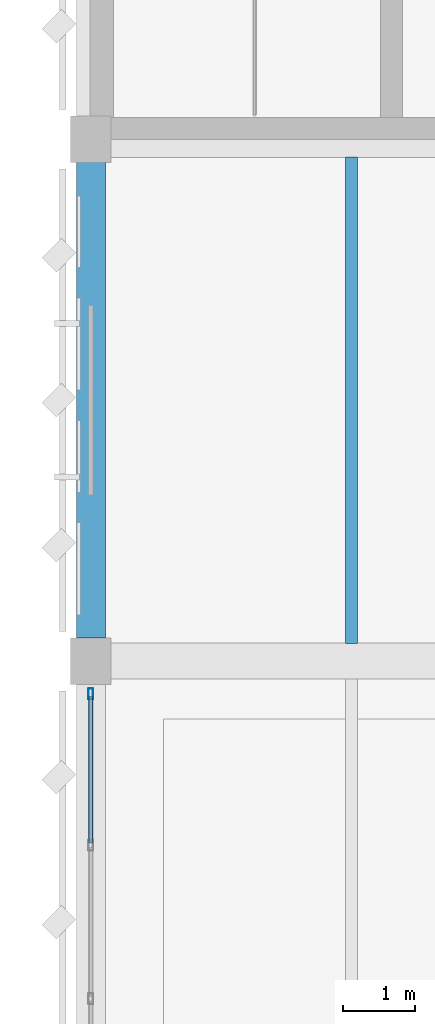
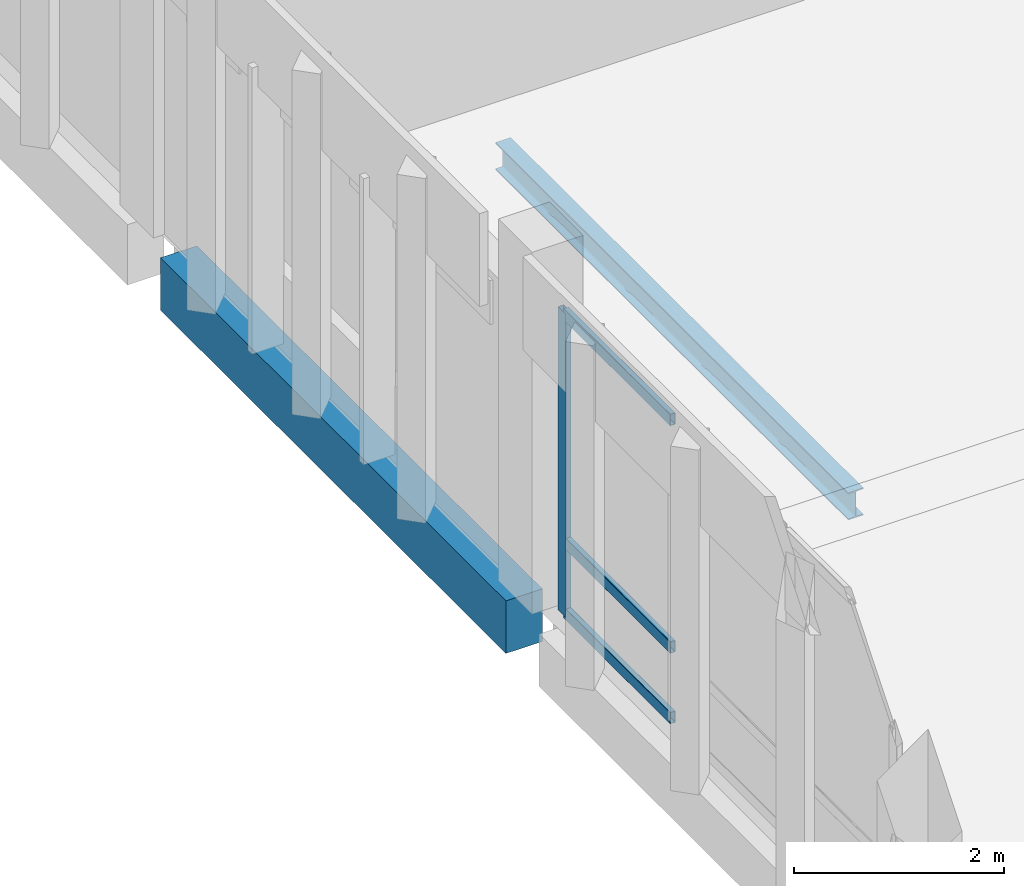
# One storey, part 39 of 158: 4 members, 2 beams, 1 element without a shape of its own.
"""IFC4 building model written with IfcOpenShell, lengths in metres."""

import ifcopenshell
import ifcopenshell.guid

model = None  # the IFC model being written
_history = None  # IfcOwnerHistory: only IFC2X3 demands one
_inside = {}  # id of a spatial element -> (the spatial element, [elements in it])
_under = {}  # id of a project, library or spatial element -> (it, [spatial elements below it])
_declared = {}  # id of a project -> (the project, [libraries it declares])
_typed = {}  # id of a type object -> (the type object, [elements of that type])
_made_of = {}  # id of a material, layer set ... -> (it, [elements and type objects made of it])


def new_model(schema):
    """Start an empty IFC model of exactly this schema.

    Asked for "IFC4X3", IfcOpenShell would pick the latest addendum, in which some entities
    have other attributes; the version numbers below select the first issue.
    IFC2X3 requires an IfcOwnerHistory on every rooted entity: one is made here for all.
    """
    global model, _history
    if schema == "IFC4X3":
        model = ifcopenshell.file(schema_version=(4, 3, 0, 0))
    else:
        model = ifcopenshell.file(schema=schema)
    _inside.clear()
    _under.clear()
    _declared.clear()
    _typed.clear()
    _made_of.clear()
    _history = None
    if model.schema == "IFC2X3":
        org = make("IfcOrganization", Name="unknown")
        user = make(
            "IfcPersonAndOrganization",
            ThePerson=make("IfcPerson", FamilyName="unknown"),
            TheOrganization=org,
        )
        app = make(
            "IfcApplication",
            ApplicationDeveloper=org,
            Version="unknown",
            ApplicationFullName="unknown",
            ApplicationIdentifier="unknown",
        )
        _history = make(
            "IfcOwnerHistory",
            OwningUser=user,
            OwningApplication=app,
            ChangeAction="ADDED",
            CreationDate=0,
        )
    return model


def make(cls, **values):
    """One entity of the class cls with the attributes given. An attribute that is None is left unset."""
    return model.create_entity(
        cls, **{name: value for name, value in values.items() if value is not None}
    )


def rooted(cls, **values):
    """An entity with a GlobalId (a new one), such as an element, a storey or a relation."""
    return make(cls, GlobalId=ifcopenshell.guid.new(), OwnerHistory=_history, **values)


def si_unit(unit_type, name, prefix=None):
    """IfcSIUnit, for example si_unit("LENGTHUNIT", "METRE", prefix="MILLI")."""
    return make("IfcSIUnit", UnitType=unit_type, Prefix=prefix, Name=name)


def assignment(units):
    """IfcUnitAssignment: the units of a project."""
    return None if units is None else make("IfcUnitAssignment", Units=units)


def point(xyz):
    """IfcCartesianPoint."""
    return None if xyz is None else make("IfcCartesianPoint", Coordinates=xyz)


def direction(xyz):
    """IfcDirection."""
    return None if xyz is None else make("IfcDirection", DirectionRatios=xyz)


def frame(location, z_axis=None, x_axis=None):
    """IfcAxis2Placement3D, a coordinate frame: its origin and axes. An axis left out is left unset."""
    return make(
        "IfcAxis2Placement3D",
        Location=point(location),
        Axis=direction(z_axis),
        RefDirection=direction(x_axis),
    )


def frame_2d(location, x_axis=None):
    """IfcAxis2Placement2D, a coordinate frame in the plane: its origin and x axis."""
    return make(
        "IfcAxis2Placement2D", Location=point(location), RefDirection=direction(x_axis)
    )


def origin():
    """The frame at (0, 0, 0) with its axes left unset."""
    return frame((0.0, 0.0, 0.0))


def origin_2d():
    """The frame at (0, 0) in the plane with its x axis left unset."""
    return frame_2d((0.0, 0.0))


def place(relative_to, where):
    """IfcLocalPlacement: puts the frame where relative to a parent placement (None: the world)."""
    return make(
        "IfcLocalPlacement", PlacementRelTo=relative_to, RelativePlacement=where
    )


def context(
    kind, dimensions, precision=None, world=None, true_north=None, identifier=None
):
    """IfcGeometricRepresentationContext, for example the 3D "Model" context."""
    return make(
        "IfcGeometricRepresentationContext",
        ContextIdentifier=identifier,
        ContextType=kind,
        CoordinateSpaceDimension=dimensions,
        Precision=precision,
        WorldCoordinateSystem=world,
        TrueNorth=true_north,
    )


def subcontext(parent, identifier, kind, view, scale=None):
    """IfcGeometricRepresentationSubContext, for example "Body" below "Model"."""
    return make(
        "IfcGeometricRepresentationSubContext",
        ContextIdentifier=identifier,
        ContextType=kind,
        ParentContext=parent,
        TargetScale=scale,
        TargetView=view,
    )


def project(units=None, contexts=None):
    """IfcProject with its units and contexts."""
    return rooted(
        "IfcProject",
        Name="project",
        RepresentationContexts=contexts,
        UnitsInContext=assignment(units),
    )


def spatial(cls, under=None, at=None, **own):
    """A site, building, storey or space (cls), placed at a placement, below another one or the project."""
    s = rooted(cls, ObjectPlacement=at, **own)
    if under is not None:
        _under.setdefault(under.id(), (under, []))[1].append(s)
    return s


def profile(cls, at=None, kind="AREA", **sizes):
    """A parametric profile (cls). Its sizes go by their IFC names, for example OverallWidth=200.0."""
    return make(cls, ProfileType=kind, Position=at, **sizes)


def rectangle(**sizes):
    """IfcRectangleProfileDef."""
    return profile("IfcRectangleProfileDef", **sizes)


def hollow_rectangle(**sizes):
    """IfcRectangleHollowProfileDef."""
    return profile("IfcRectangleHollowProfileDef", **sizes)


def i_section(**sizes):
    """IfcIShapeProfileDef."""
    return profile("IfcIShapeProfileDef", **sizes)


def extrude(swept, where, along, depth):
    """IfcExtrudedAreaSolid: the profile swept, set in the frame where, extruded along a direction by depth."""
    return make(
        "IfcExtrudedAreaSolid",
        SweptArea=swept,
        Position=where,
        ExtrudedDirection=direction(along),
        Depth=depth,
    )


def shape(context_of_items, identifier, shape_type, items):
    """IfcShapeRepresentation: the items that make up one representation, for example the "Body"."""
    return make(
        "IfcShapeRepresentation",
        ContextOfItems=context_of_items,
        RepresentationIdentifier=identifier,
        RepresentationType=shape_type,
        Items=items,
    )


def material(Name=None, Category=None):
    """IfcMaterial."""
    return make("IfcMaterial", Name=Name, Category=Category)


def material_profile(
    of_material, cross_section, Name=None, Category=None, Priority=None
):
    """IfcMaterialProfile: a cross section and its material."""
    return make(
        "IfcMaterialProfile",
        Name=Name,
        Material=of_material,
        Profile=cross_section,
        Priority=Priority,
        Category=Category,
    )


def profile_set(profiles, Name=None, composite=None):
    """IfcMaterialProfileSet."""
    return make(
        "IfcMaterialProfileSet",
        Name=Name,
        MaterialProfiles=profiles,
        CompositeProfile=composite,
    )


def made_of(thing, what):
    """Note that an element or type object is made of a material, layer set ...; save() writes the relation."""
    if what is not None:
        _made_of.setdefault(what.id(), (what, []))[1].append(thing)
    return thing


def type_object(cls, material=None, **own):
    """A type object (cls), such as IfcWallType, which elements share."""
    return made_of(rooted(cls, **own), material)


def element(
    cls,
    number,
    at=None,
    inside=None,
    cuts=None,
    type_object=None,
    material=None,
    context=None,
    identifier="Body",
    shape_type=None,
    held_by="IfcProductDefinitionShape",
    body=None,
    shapes=None,
    **own,
):
    """One element of the class cls, such as IfcWall. Its Tag is "e" and its number.

    at: its placement. inside: the storey or other place that contains it. cuts: it is an
    opening in that element (IfcRelVoidsElement). A single representation is given by context,
    identifier, shape_type and body (its items); several are given by shapes. held_by: the class
    of the entity that holds the representations. save() writes the other relations.
    """
    e = rooted(cls, Tag="e%d" % number, ObjectPlacement=at, **own)
    if body is not None:
        shapes = [shape(context, identifier, shape_type, body)]
    if shapes is not None:
        e.Representation = make(held_by, Representations=shapes)
    if inside is not None:
        _inside.setdefault(inside.id(), (inside, []))[1].append(e)
    if cuts is not None:
        rooted(
            "IfcRelVoidsElement", RelatingBuildingElement=cuts, RelatedOpeningElement=e
        )
    if type_object is not None:
        _typed.setdefault(type_object.id(), (type_object, []))[1].append(e)
    return made_of(e, material)


def aggregate(whole, parts):
    """IfcRelAggregates: a whole, such as a stair, and the parts it consists of."""
    return rooted("IfcRelAggregates", RelatingObject=whole, RelatedObjects=parts)


def save(model, path):
    """Write the relations noted so far, then the file.

    IfcRelAggregates (storeys below a building ...), IfcRelContainedInSpatialStructure (elements
    in a storey), IfcRelDefinesByType, IfcRelAssociatesMaterial and IfcRelDeclares: one each for
    every whole, place, type object, material and project.
    """
    for whole, parts in _under.values():
        aggregate(whole, parts)
    for where, things in _inside.values():
        rooted(
            "IfcRelContainedInSpatialStructure",
            RelatedElements=things,
            RelatingStructure=where,
        )
    for kind, things in _typed.values():
        rooted("IfcRelDefinesByType", RelatedObjects=things, RelatingType=kind)
    for what, things in _made_of.values():
        rooted("IfcRelAssociatesMaterial", RelatedObjects=things, RelatingMaterial=what)
    for by, libraries in _declared.values():
        rooted("IfcRelDeclares", RelatingContext=by, RelatedDefinitions=libraries)
    model.write(path)


model = new_model("IFC4")

# Units and contexts
model_context = context("Model", 3, precision=1e-05, world=origin(), true_north=direction((0.0, 1.0)))
body_context = subcontext(model_context, "Body", "Model", "MODEL_VIEW")
ifc_project = project(units=[si_unit("LENGTHUNIT", "METRE"), si_unit("AREAUNIT", "SQUARE_METRE"), si_unit("VOLUMEUNIT", "CUBIC_METRE"), si_unit("PLANEANGLEUNIT", "RADIAN"), si_unit("MASSUNIT", "GRAM", prefix="KILO")], contexts=[model_context])

# Site, building, storey
site_placement = place(None, origin())
site = spatial("IfcSite", under=ifc_project, at=site_placement, CompositionType="ELEMENT")
building_placement = place(site_placement, origin())
building = spatial("IfcBuilding", under=site, at=building_placement, Name="Lusvemor Sports Hall", CompositionType="ELEMENT")
storey_placement = place(building_placement, frame((0.0, 0.0, 10.800048828125)))
storey = spatial("IfcBuildingStorey", under=building, at=storey_placement, Name="L02", CompositionType="ELEMENT", Elevation=10.800048828125)

# Curtain wall, members
ifc_material_1 = material(Name="Thermally broken bronze-anodized aluminium", Category="aluminium")
curtain_wall_type = type_object("IfcCurtainWallType", Name="CW_WING_B", PredefinedType="NOTDEFINED", material=ifc_material_1)
curtain_wall_placement = place(storey_placement, origin())
curtain_wall = element("IfcCurtainWall", 1, at=curtain_wall_placement, inside=storey, type_object=curtain_wall_type, Name="Curtain Wall CW-L02-W-0-6", PredefinedType="NOTDEFINED")
ifc_material_2 = material(Name="Thermally broken bronze-anodized aluminium", Category="aluminium")
ifc_material_profile_1 = material_profile(ifc_material_2, hollow_rectangle(XDim=0.06494140625, YDim=0.14990234375, WallThickness=0.00390625, InnerFilletRadius=0.00390625, OuterFilletRadius=0.008056640625, at=origin_2d()), Name="CWMUL150x65x4")
ifc_profile_set_1 = profile_set([ifc_material_profile_1], Name="Thermally broken bronze-anodized aluminium")
member_type_1 = type_object("IfcMemberType", Name="CW_MUL_B", PredefinedType="MULLION", material=ifc_profile_set_1)
member_1_placement = place(storey_placement, frame((0.0, 96.74755859375, 0.0), z_axis=(0.0, 0.0, 1.0), x_axis=(-1.0, 0.0, 0.0)))
member_1 = element("IfcMember", 2, at=member_1_placement, type_object=member_type_1, Name="CW02 mullion 4", PredefinedType="MULLION", context=body_context, shape_type="SweptSolid", body=[
    extrude(hollow_rectangle(XDim=0.06494140625, YDim=0.14990234375, WallThickness=0.00390625, InnerFilletRadius=0.00390625, OuterFilletRadius=0.008056640625, at=origin_2d()), origin(), (0.0, 0.0, 1.0), 3.52001953125),
])
ifc_material_3 = material(Name="Thermally broken bronze-anodized aluminium", Category="aluminium")
ifc_material_profile_2 = material_profile(ifc_material_3, hollow_rectangle(XDim=0.06005859375, YDim=0.135009765625, WallThickness=0.00390625, InnerFilletRadius=0.00390625, OuterFilletRadius=0.008056640625, at=origin_2d()), Name="CWTRN135x60x4")
ifc_profile_set_2 = profile_set([ifc_material_profile_2], Name="Thermally broken bronze-anodized aluminium")
member_type_2 = type_object("IfcMemberType", Name="CW_TRN_B", PredefinedType="USERDEFINED", material=ifc_profile_set_2)
member_2_placement = place(storey_placement, frame((0.0, 94.6923828125, 0.030029296875), z_axis=(0.0, 1.0, 0.0), x_axis=(-1.0, 0.0, 0.0)))
member_2 = element("IfcMember", 3, at=member_2_placement, type_object=member_type_2, Name="CW02 transom 3.1", ObjectType="TRANSOM", PredefinedType="USERDEFINED", context=body_context, shape_type="SweptSolid", body=[
    extrude(hollow_rectangle(XDim=0.06005859375, YDim=0.135009765625, WallThickness=0.00390625, InnerFilletRadius=0.00390625, OuterFilletRadius=0.008056640625, at=origin_2d()), origin(), (0.0, 0.0, 1.0), 2.022705078125),
])
member_3_placement = place(storey_placement, frame((0.0, 94.6923828125, 0.849853515625), z_axis=(0.0, 1.0, 0.0), x_axis=(-1.0, 0.0, 0.0)))
member_3 = element("IfcMember", 4, at=member_3_placement, type_object=member_type_2, Name="CW02 transom 3.2", ObjectType="TRANSOM", PredefinedType="USERDEFINED", context=body_context, shape_type="SweptSolid", body=[
    extrude(hollow_rectangle(XDim=0.06005859375, YDim=0.135009765625, WallThickness=0.00390625, InnerFilletRadius=0.00390625, OuterFilletRadius=0.008056640625, at=origin_2d()), origin(), (0.0, 0.0, 1.0), 2.022705078125),
])
member_4_placement = place(storey_placement, frame((0.0, 94.6923828125, 3.489990234375), z_axis=(0.0, 1.0, 0.0), x_axis=(-1.0, 0.0, 0.0)))
member_4 = element("IfcMember", 5, at=member_4_placement, type_object=member_type_2, Name="CW02 transom 3.3", ObjectType="TRANSOM", PredefinedType="USERDEFINED", context=body_context, shape_type="SweptSolid", body=[
    extrude(hollow_rectangle(XDim=0.06005859375, YDim=0.135009765625, WallThickness=0.00390625, InnerFilletRadius=0.00390625, OuterFilletRadius=0.008056640625, at=origin_2d()), origin(), (0.0, 0.0, 1.0), 2.022705078125),
])
aggregate(curtain_wall, [member_1, member_2, member_3, member_4])

# Beams
ifc_material_4 = material(Name="Steel S355", Category="steel")
ifc_material_profile_3 = material_profile(ifc_material_4, i_section(OverallWidth=0.1669921875, OverallDepth=0.31689453125, WebThickness=0.007568359375, FlangeThickness=0.01318359375, FilletRadius=0.014892578125, at=origin_2d()), Name="W310x52.0")
ifc_profile_set_3 = profile_set([ifc_material_profile_3], Name="Steel S355")
beam_type_1 = type_object("IfcBeamType", Name="JOIST_ST_310M", PredefinedType="JOIST", material=ifc_profile_set_3)
beam_1_placement = place(storey_placement, frame((3.60009765625, 97.446044921875, -0.422607421875), z_axis=(0.0, 1.0, 0.0), x_axis=(-1.0, 0.0, 0.0)))
element("IfcBeam", 6, at=beam_1_placement, inside=storey, type_object=beam_type_1, Name="Secondary Joist L02 1-2/N-P #1", PredefinedType="JOIST", context=body_context, shape_type="SweptSolid", body=[
    extrude(i_section(OverallWidth=0.1669921875, OverallDepth=0.31689453125, WebThickness=0.007568359375, FlangeThickness=0.01318359375, FilletRadius=0.014892578125, at=origin_2d()), origin(), (0.0, 0.0, 1.0), 6.7080078125),
])
ifc_material_5 = material(Name="Concrete C40/50", Category="concrete")
ifc_material_profile_4 = material_profile(ifc_material_5, rectangle(XDim=0.39990234375, YDim=0.610107421875, at=origin_2d()), Name="RC400x610")
ifc_profile_set_4 = profile_set([ifc_material_profile_4], Name="Concrete C40/50")
beam_type_2 = type_object("IfcBeamType", Name="SPAND_EXT_650", PredefinedType="SPANDREL", material=ifc_profile_set_4)
beam_2_placement = place(storey_placement, frame((0.0, 97.51611328125, -0.56494140625), z_axis=(0.0, 1.0, 0.0), x_axis=(-1.0, 0.0, 0.0)))
element("IfcBeam", 7, at=beam_2_placement, inside=storey, type_object=beam_type_2, Name="Beam L02 1:N-P", PredefinedType="SPANDREL", context=body_context, shape_type="SweptSolid", body=[
    extrude(rectangle(XDim=0.39990234375, YDim=0.610107421875, at=origin_2d()), origin(), (0.0, 0.0, 1.0), 6.56787109375),
])

save(model, "model.ifc")
